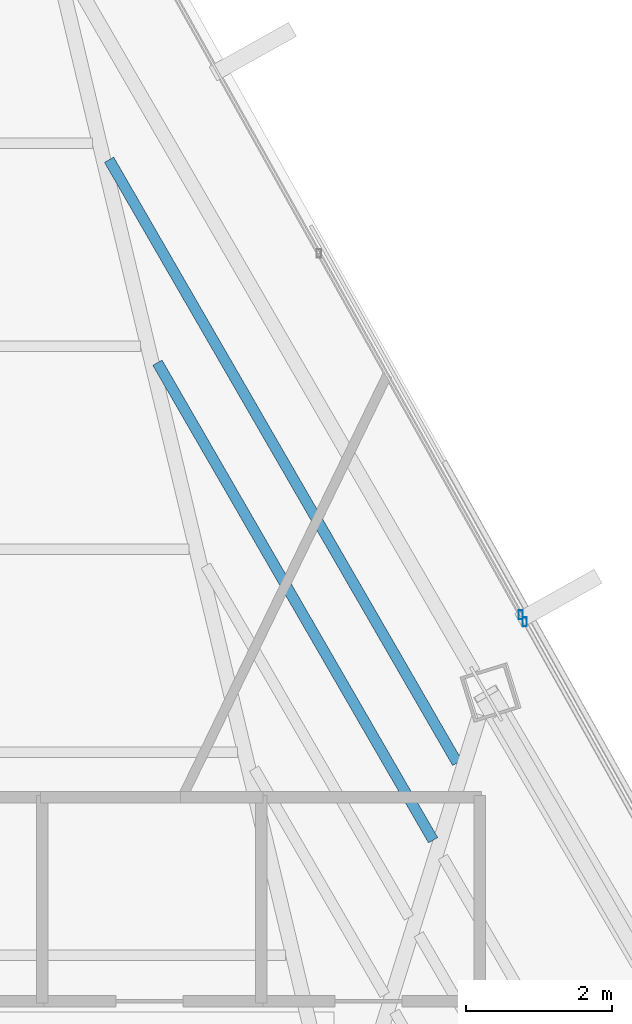
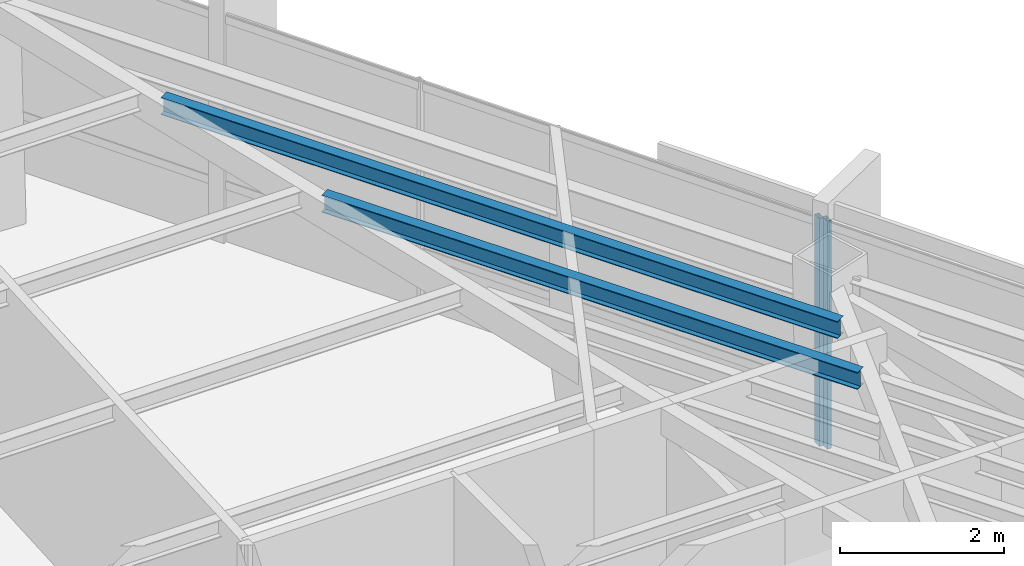
# One storey, part 31 of 45: 2 beams, 2 members, 2 elements without a shape of their own.
"""IFC4 building model written with IfcOpenShell, lengths in metres."""

from ifc_helpers import new_model, si_unit, direction, frame, origin, origin_2d, place, context, subcontext, project, spatial, hollow_rectangle, i_section, extrude, source, transform, mapped, material, material_profile, profile_set, type_object, type_shapes, element, aggregate, save


model = new_model("IFC4")

# Units and contexts
model_context = context("Model", 3, precision=1e-05, world=origin(), true_north=direction((0.0, 1.0)))
body_context = subcontext(model_context, "Body", "Model", "MODEL_VIEW")
ifc_project = project(units=[si_unit("LENGTHUNIT", "METRE"), si_unit("AREAUNIT", "SQUARE_METRE"), si_unit("VOLUMEUNIT", "CUBIC_METRE"), si_unit("PLANEANGLEUNIT", "RADIAN"), si_unit("MASSUNIT", "GRAM", prefix="KILO")], contexts=[model_context])

# Site, building, storey
site_placement = place(None, origin())
site = spatial("IfcSite", under=ifc_project, at=site_placement, CompositionType="ELEMENT")
building_placement = place(site_placement, origin())
building = spatial("IfcBuilding", under=site, at=building_placement, Name="Caelisora Broadcast Tower", CompositionType="ELEMENT")
storey_placement = place(building_placement, frame((0.0, 0.0, 266.35009765625)))
storey = spatial("IfcBuildingStorey", under=building, at=storey_placement, Name="L70", CompositionType="ELEMENT", Elevation=266.35009765625)

# Beams
ifc_material_1 = material(Name="Steel Grade 350 (AS/NZS 3679.1)", Category="steel")
ifc_material_profile_1 = material_profile(ifc_material_1, i_section(OverallWidth=0.14599609375, OverallDepth=0.256103515625, WebThickness=0.00634765625, FlangeThickness=0.010986328125, at=origin_2d()), Name="Steel Grade 350 (AS/NZS 3679.1)")
ifc_profile_set_1 = profile_set([ifc_material_profile_1], Name="Steel Grade 350 (AS/NZS 3679.1)")
beam_type = type_object("IfcBeamType", Name="SB04", PredefinedType="JOIST", material=ifc_profile_set_1)
shared_shape_1 = source(origin(), body_context, "Body", "SweptSolid", [
    extrude(i_section(OverallWidth=0.14599609375, OverallDepth=0.256103515625, WebThickness=0.00634765625, FlangeThickness=0.010986328125, at=origin_2d()), origin(), (0.0, 0.0, 1.0), 7.56103515625),
])
beam_1_placement = place(storey_placement, frame((46.758056640625, 34.35888671875, 3.271728515625), z_axis=(-0.499997298125, 0.866026963707, 0.0), x_axis=(-0.866026963707, -0.499997298125, 0.0)))
element("IfcBeam", 1, at=beam_1_placement, inside=storey, type_object=beam_type, Name="L70 beam SB04", PredefinedType="JOIST", context=body_context, shape_type="MappedRepresentation", body=[
    mapped(shared_shape_1, transform((0.0, 0.0, 0.0), scale=1.0)),
])
shared_shape_2 = source(origin(), body_context, "Body", "SweptSolid", [
    extrude(i_section(OverallWidth=0.14599609375, OverallDepth=0.256103515625, WebThickness=0.00634765625, FlangeThickness=0.010986328125, at=origin_2d()), origin(), (0.0, 0.0, 1.0), 9.549560546875),
])
type_shapes(beam_type, [shared_shape_1, shared_shape_2])
beam_2_placement = place(storey_placement, frame((47.089111328125, 35.419921875, 3.271728515625), z_axis=(-0.499985803971, 0.86603359971, 0.0), x_axis=(-0.86603359971, -0.499985803971, 0.0)))
element("IfcBeam", 2, at=beam_2_placement, inside=storey, type_object=beam_type, Name="L70 beam SB04", PredefinedType="JOIST", context=body_context, shape_type="MappedRepresentation", body=[
    mapped(shared_shape_2, transform((0.0, 0.0, 0.0), scale=1.0)),
])

# Curtain wall, member
ifc_material_2 = material(Name="Unitised Aluminium and Low-E Glass Curtain Wall", Category="glass")
curtain_wall_type_1 = type_object("IfcCurtainWallType", Name="CW-Z5", PredefinedType="NOTDEFINED", material=ifc_material_2)
curtain_wall_1_placement = place(storey_placement, origin())
curtain_wall_1 = element("IfcCurtainWall", 3, at=curtain_wall_1_placement, inside=storey, type_object=curtain_wall_type_1, Name="L70 curtain wall CW-Z5", PredefinedType="NOTDEFINED")
ifc_material_3 = material(Name="Aluminium 6063-T6 Anodised Terracotta Bronze", Category="aluminium")
ifc_material_profile_2 = material_profile(ifc_material_3, hollow_rectangle(XDim=0.06005859375, YDim=0.1201171875, WallThickness=0.0029296875, at=origin_2d()), Name="Aluminium 6063-T6 Anodised Terracotta Bronze")
ifc_profile_set_2 = profile_set([ifc_material_profile_2], Name="Aluminium 6063-T6 Anodised Terracotta Bronze")
member_type = type_object("IfcMemberType", Name="CWM-04", PredefinedType="MULLION", material=ifc_profile_set_2)
shared_shape_3 = source(origin(), body_context, "Body", "SweptSolid", [
    extrude(hollow_rectangle(XDim=0.06005859375, YDim=0.1201171875, WallThickness=0.0029296875, at=origin_2d()), origin(), (0.0, 0.0, 1.0), 3.39990234375),
])
type_shapes(member_type, [shared_shape_3])
member_1_placement = place(storey_placement, frame((47.9609375, 37.44921875, 0.0), z_axis=(0.0, 0.0, 1.0), x_axis=(1.0, 0.0, 0.0)))
member_1 = element("IfcMember", 4, at=member_1_placement, type_object=member_type, Name="L70-CW-B01 mullion #3", PredefinedType="MULLION", context=body_context, shape_type="MappedRepresentation", body=[
    mapped(shared_shape_3, transform((0.0, 0.0, 0.0), scale=1.0)),
])
aggregate(curtain_wall_1, [member_1])

ifc_material_4 = material(Name="Unitised Aluminium Insulated Shadow-Box Spandrel Curtain Wall", Category="aluminium")
curtain_wall_type_2 = type_object("IfcCurtainWallType", Name="CW-SP3", PredefinedType="NOTDEFINED", material=ifc_material_4)
curtain_wall_2_placement = place(storey_placement, origin())
curtain_wall_2 = element("IfcCurtainWall", 5, at=curtain_wall_2_placement, inside=storey, type_object=curtain_wall_type_2, Name="L70 curtain wall CW-SP3", PredefinedType="NOTDEFINED")
member_2_placement = place(storey_placement, frame((48.0146484375, 37.353271484375, 0.0), z_axis=(0.0, 0.0, 1.0), x_axis=(1.0, 0.0, 0.0)))
member_2 = element("IfcMember", 6, at=member_2_placement, type_object=member_type, Name="L70-CW-B02 mullion #0", PredefinedType="MULLION", context=body_context, shape_type="MappedRepresentation", body=[
    mapped(shared_shape_3, transform((0.0, 0.0, 0.0), scale=1.0)),
])
aggregate(curtain_wall_2, [member_2])

save(model, "model.ifc")
